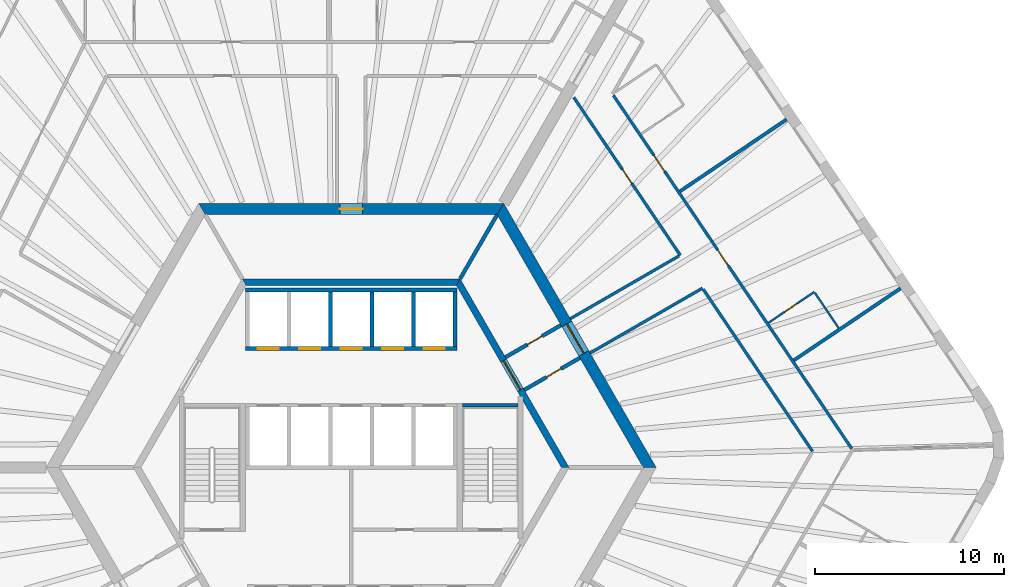
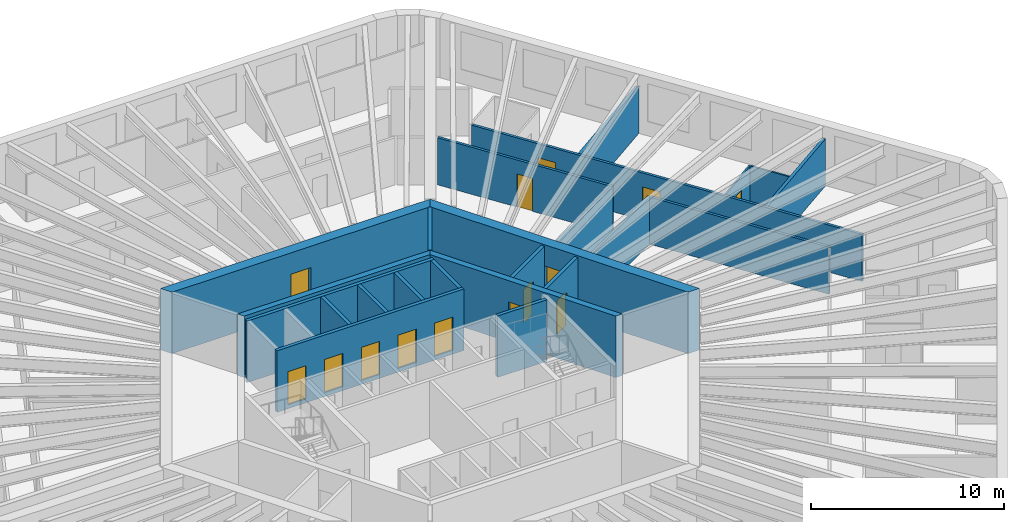
# One storey, part 9 of 12: 23 walls, 14 doors, 14 openings.
"""IFC4 building model written with IfcOpenShell, lengths in metres."""

from ifc_helpers import new_model, si_unit, direction, frame, frame_2d, origin, place, context, subcontext, project, spatial, polyline, rectangle, outline, extrude, material, layer, layer_set, type_object, element, fill, save


model = new_model("IFC4")

# Units and contexts
model_context = context("Model", 3, precision=1e-05, world=origin(), true_north=direction((0.0, 1.0)))
body_context = subcontext(model_context, "Body", "Model", "MODEL_VIEW")
ifc_project = project(units=[si_unit("LENGTHUNIT", "METRE"), si_unit("AREAUNIT", "SQUARE_METRE"), si_unit("VOLUMEUNIT", "CUBIC_METRE"), si_unit("PLANEANGLEUNIT", "RADIAN"), si_unit("MASSUNIT", "GRAM", prefix="KILO")], contexts=[model_context])

# Site, building, storey
site_placement = place(None, origin())
site = spatial("IfcSite", under=ifc_project, at=site_placement, CompositionType="ELEMENT")
building_placement = place(site_placement, origin())
building = spatial("IfcBuilding", under=site, at=building_placement, Name="Tarnside Tower", CompositionType="ELEMENT")
storey_placement = place(building_placement, frame((0.0, 0.0, 53.10009765625)))
storey = spatial("IfcBuildingStorey", under=building, at=storey_placement, Name="L10", CompositionType="ELEMENT", Elevation=53.10009765625)

# Wall, opening, door
ifc_material_1 = material(Name="Gypsum board partition on steel studs", Category="steel")
ifc_layer_1 = layer(ifc_material_1, 0.10009765625)
ifc_layer_set_1 = layer_set([ifc_layer_1], Name="Bathroom wall 100")
wall_type_1 = type_object("IfcWallType", Name="Bathroom wall 100", PredefinedType="PARTITIONING", material=ifc_layer_set_1)
wall_1_placement = place(storey_placement, frame((22.118408203125, 7.668212890625, 0.0), z_axis=(0.0, 0.0, 1.0), x_axis=(0.829007334469, 0.559237730663, 0.0)))
wall_1 = element("IfcWall", 1, at=wall_1_placement, inside=storey, type_object=wall_type_1, Name="Bathroom wall 02148", PredefinedType="PARTITIONING", context=body_context, shape_type="SweptSolid", body=[
    extrude(rectangle(XDim=2.925048828125, YDim=0.10009765625, at=frame_2d((1.46240234375, 0.0))), origin(), (0.0, 0.0, 1.0), 2.98779296875),
])
opening_1_placement = place(wall_1_placement, frame((1.02490234375, 0.0, 0.0)))
opening_1 = element("IfcOpeningElement", 2, at=opening_1_placement, cuts=wall_1, Name="Opening D-B1", PredefinedType="OPENING", context=body_context, shape_type="SweptSolid", body=[
    extrude(rectangle(XDim=0.800048828125, YDim=2.10009765625, at=frame_2d((0.39990234375, 1.050048828125))), frame((0.0, 0.06005859375, 0.0), z_axis=(0.0, -1.0, 0.0), x_axis=(1.0, 0.0, 0.0)), (0.0, 0.0, 1.0), 0.1201171875),
])
ifc_material_2 = material(Name="Timber door leaf", Category="wood")
door_type_1 = type_object("IfcDoorType", Name="Bathroom door 800", OperationType="NOTDEFINED", PredefinedType="DOOR", material=ifc_material_2)
door_1_placement = place(opening_1_placement, origin())
door_1 = element("IfcDoor", 3, at=door_1_placement, inside=storey, type_object=door_type_1, Name="Bathroom door 02038", OperationType="SINGLE_SWING_RIGHT", OverallHeight=2.10009765625, OverallWidth=0.800048828125, PredefinedType="DOOR", context=body_context, shape_type="SweptSolid", body=[
    extrude(rectangle(XDim=0.800048828125, YDim=2.10009765625, at=frame_2d((0.39990234375, 1.050048828125))), frame((0.0, 0.02490234375, 0.0), z_axis=(0.0, -1.0, 0.0), x_axis=(1.0, 0.0, 0.0)), (0.0, 0.0, 1.0), 0.050048828125),
])
fill(opening_1, door_1)

# Wall
wall_2_placement = place(storey_placement, frame((24.5712890625, 9.262451171875, 0.0), z_axis=(0.0, 0.0, 1.0), x_axis=(0.559179660023, -0.829046505219, 0.0)))
element("IfcWall", 4, at=wall_2_placement, inside=storey, type_object=wall_type_1, Name="Bathroom wall 02149", PredefinedType="PARTITIONING", context=body_context, shape_type="SweptSolid", body=[
    extrude(rectangle(XDim=2.259765625, YDim=0.10009765625, at=frame_2d((1.1298828125, 0.0))), origin(), (0.0, 0.0, 1.0), 2.98779296875),
])

# Wall, opening, door
ifc_material_3 = material(Name="Concrete C50/60", Category="concrete")
ifc_layer_2 = layer(ifc_material_3, 0.35009765625)
ifc_layer_set_2 = layer_set([ifc_layer_2], Name="Core block wall 350 C50/60")
wall_type_2 = type_object("IfcWallType", Name="Core block wall 350 C50/60", PredefinedType="SHEAR", material=ifc_layer_set_2)
wall_3_placement = place(storey_placement, frame((11.344970703125, 0.0, -0.150146484375), z_axis=(0.0, 0.0, 1.0), x_axis=(-0.499995046907, 0.866028263435, 0.0)))
wall_3 = element("IfcWall", 5, at=wall_3_placement, inside=storey, type_object=wall_type_2, Name="L10 core block wall face 6", PredefinedType="SHEAR", context=body_context, shape_type="SweptSolid", body=[
    extrude(outline(polyline([(-0.10107421875, -0.175048828125), (11.44580078125, -0.175048828125), (11.24365234375, 0.175048828125), (0.10107421875, 0.175048828125), (-0.10107421875, -0.175048828125)])), origin(), (0.0, 0.0, 1.0), 3.900146484375),
])
opening_2_placement = place(wall_3_placement, frame((4.74365234375, 0.0, 0.14990234375)))
opening_2 = element("IfcOpeningElement", 6, at=opening_2_placement, cuts=wall_3, Name="Opening CD-LOB", PredefinedType="OPENING", context=body_context, shape_type="SweptSolid", body=[
    extrude(rectangle(XDim=1.800048828125, YDim=2.39990234375, at=frame_2d((0.89990234375, 1.199951171875))), frame((0.0, 0.18505859375, 0.0), z_axis=(0.0, -1.0, 0.0), x_axis=(1.0, 0.0, 0.0)), (0.0, 0.0, 1.0), 0.3701171875),
])
ifc_material_4 = material(Name="Steel fire door", Category="steel")
door_type_2 = type_object("IfcDoorType", Name="Lobby double door FD30S 1800x2400", OperationType="NOTDEFINED", PredefinedType="DOOR", material=ifc_material_4)
door_2_placement = place(opening_2_placement, origin())
door_2 = element("IfcDoor", 7, at=door_2_placement, inside=storey, type_object=door_type_2, Name="L10 lobby block door P2", OperationType="DOUBLE_DOOR_SINGLE_SWING", OverallHeight=2.39990234375, OverallWidth=1.800048828125, PredefinedType="DOOR", context=body_context, shape_type="SweptSolid", body=[
    extrude(rectangle(XDim=1.800048828125, YDim=2.39990234375, at=frame_2d((0.89990234375, 1.199951171875))), frame((0.0, 0.02490234375, 0.0), z_axis=(0.0, -1.0, 0.0), x_axis=(1.0, 0.0, 0.0)), (0.0, 0.0, 1.0), 0.050048828125),
])
fill(opening_2, door_2)

# Wall
wall_4_placement = place(storey_placement, frame((5.672607421875, 9.824951171875, -0.150146484375), z_axis=(0.0, 0.0, 1.0), x_axis=(-1.0, 0.0, 0.0)))
element("IfcWall", 8, at=wall_4_placement, inside=storey, type_object=wall_type_2, Name="L10 core block wall face 1", PredefinedType="SHEAR", context=body_context, shape_type="SweptSolid", body=[
    extrude(outline(polyline([(-0.10107421875, -0.175048828125), (11.4462890625, -0.175048828125), (11.244140625, 0.175048828125), (0.10107421875, 0.175048828125), (-0.10107421875, -0.175048828125)])), origin(), (0.0, 0.0, 1.0), 3.900146484375),
])

# Wall, opening, door
ifc_material_5 = material(Name="Concrete C40/50", Category="concrete")
ifc_layer_3 = layer(ifc_material_5, 0.199951171875)
ifc_layer_set_3 = layer_set([ifc_layer_3], Name="Core room partition 200 C40/50")
wall_type_3 = type_object("IfcWallType", Name="Core room partition 200 C40/50", PredefinedType="PARTITIONING", material=ifc_layer_set_3)
wall_5_placement = place(storey_placement, frame((8.1748046875, 5.841064453125, 0.0), z_axis=(0.0, 0.0, 1.0), x_axis=(0.866020560687, 0.500008388397, 0.0)))
wall_5 = element("IfcWall", 9, at=wall_5_placement, inside=storey, type_object=wall_type_3, Name="L10 core partition AC5L", PredefinedType="PARTITIONING", context=body_context, shape_type="SweptSolid", body=[
    extrude(rectangle(XDim=3.39990234375, YDim=0.199951171875, at=frame_2d((1.699951171875, 0.0))), origin(), (0.0, 0.0, 1.0), 3.64990234375),
])
opening_3_placement = place(wall_5_placement, frame((1.349609375, 0.0, 0.0)))
opening_3 = element("IfcOpeningElement", 10, at=opening_3_placement, cuts=wall_5, Name="Opening CD-room", PredefinedType="OPENING", context=body_context, shape_type="SweptSolid", body=[
    extrude(rectangle(XDim=0.89990234375, YDim=2.10009765625, at=frame_2d((0.449951171875, 1.050048828125))), frame((0.0, 0.10986328125, 0.0), z_axis=(0.0, -1.0, 0.0), x_axis=(1.0, 0.0, 0.0)), (0.0, 0.0, 1.0), 0.219970703125),
])
door_type_3 = type_object("IfcDoorType", Name="Room door FD60 900x2100", OperationType="NOTDEFINED", PredefinedType="DOOR", material=ifc_material_4)
door_3_placement = place(opening_3_placement, origin())
door_3 = element("IfcDoor", 11, at=door_3_placement, inside=storey, type_object=door_type_3, Name="L10 core room door AX5L", OperationType="SINGLE_SWING_LEFT", OverallHeight=2.10009765625, OverallWidth=0.89990234375, PredefinedType="DOOR", context=body_context, shape_type="SweptSolid", body=[
    extrude(rectangle(XDim=0.89990234375, YDim=2.10009765625, at=frame_2d((0.449951171875, 1.050048828125))), frame((0.0, 0.02490234375, 0.0), z_axis=(0.0, -1.0, 0.0), x_axis=(1.0, 0.0, 0.0)), (0.0, 0.0, 1.0), 0.050048828125),
])
fill(opening_3, door_3)

wall_6_placement = place(storey_placement, frame((9.1748046875, 4.10888671875, 0.0), z_axis=(0.0, 0.0, 1.0), x_axis=(0.865989465428, 0.500062241894, 0.0)))
wall_6 = element("IfcWall", 12, at=wall_6_placement, inside=storey, type_object=wall_type_3, Name="L10 core partition AC5R", PredefinedType="PARTITIONING", context=body_context, shape_type="SweptSolid", body=[
    extrude(rectangle(XDim=3.39990234375, YDim=0.199951171875, at=frame_2d((1.699951171875, 0.0))), origin(), (0.0, 0.0, 1.0), 3.64990234375),
])
opening_4_placement = place(wall_6_placement, frame((1.3505859375, 0.0, 0.0)))
opening_4 = element("IfcOpeningElement", 13, at=opening_4_placement, cuts=wall_6, Name="Opening CD-room", PredefinedType="OPENING", context=body_context, shape_type="SweptSolid", body=[
    extrude(rectangle(XDim=0.89990234375, YDim=2.10009765625, at=frame_2d((0.449951171875, 1.050048828125))), frame((0.0, 0.10986328125, 0.0), z_axis=(0.0, -1.0, 0.0), x_axis=(1.0, 0.0, 0.0)), (0.0, 0.0, 1.0), 0.219970703125),
])
door_4_placement = place(opening_4_placement, origin())
door_4 = element("IfcDoor", 14, at=door_4_placement, inside=storey, type_object=door_type_3, Name="L10 core room door AX5R", OperationType="SINGLE_SWING_LEFT", OverallHeight=2.10009765625, OverallWidth=0.89990234375, PredefinedType="DOOR", context=body_context, shape_type="SweptSolid", body=[
    extrude(rectangle(XDim=0.89990234375, YDim=2.10009765625, at=frame_2d((0.449951171875, 1.050048828125))), frame((0.0, 0.02490234375, 0.0), z_axis=(0.0, -1.0, 0.0), x_axis=(1.0, 0.0, 0.0)), (0.0, 0.0, 1.0), 0.050048828125),
])
fill(opening_4, door_4)

ifc_material_6 = material(Name="Concrete C80/95", Category="concrete")
ifc_layer_4 = layer(ifc_material_6, 0.60009765625)
ifc_layer_set_4 = layer_set([ifc_layer_4], Name="Core wall Z1 600 C80/95")
wall_type_4 = type_object("IfcWallType", Name="Core wall Z1 600 C80/95", PredefinedType="SHEAR", material=ifc_layer_set_4)
wall_7_placement = place(storey_placement, frame((15.8193359375, 0.0, -0.150146484375), z_axis=(0.0, 0.0, 1.0), x_axis=(-0.499999880136, 0.866025472988, 0.0)))
wall_7 = element("IfcWall", 15, at=wall_7_placement, inside=storey, type_object=wall_type_4, Name="L10 core wall face 6", PredefinedType="SHEAR", context=body_context, shape_type="SweptSolid", body=[
    extrude(outline(polyline([(-0.17333984375, -0.300048828125), (15.99267578125, -0.300048828125), (15.64599609375, 0.300048828125), (0.17333984375, 0.300048828125), (-0.17333984375, -0.300048828125)])), origin(), (0.0, 0.0, 1.0), 3.900146484375),
])
opening_5_placement = place(wall_7_placement, frame((6.980712890625, 0.0, 0.14990234375)))
opening_5 = element("IfcOpeningElement", 16, at=opening_5_placement, cuts=wall_7, Name="Opening CD-LOB", PredefinedType="OPENING", context=body_context, shape_type="SweptSolid", body=[
    extrude(rectangle(XDim=1.800048828125, YDim=2.39990234375, at=frame_2d((0.89990234375, 1.199951171875))), frame((0.0, 0.31005859375, 0.0), z_axis=(0.0, -1.0, 0.0), x_axis=(1.0, 0.0, 0.0)), (0.0, 0.0, 1.0), 0.6201171875),
])
door_5_placement = place(opening_5_placement, origin())
door_5 = element("IfcDoor", 17, at=door_5_placement, inside=storey, type_object=door_type_2, Name="L10 core door P2", OperationType="DOUBLE_DOOR_SINGLE_SWING", OverallHeight=2.39990234375, OverallWidth=1.800048828125, PredefinedType="DOOR", context=body_context, shape_type="SweptSolid", body=[
    extrude(rectangle(XDim=1.800048828125, YDim=2.39990234375, at=frame_2d((0.89990234375, 1.199951171875))), frame((0.0, 0.02490234375, 0.0), z_axis=(0.0, -1.0, 0.0), x_axis=(1.0, 0.0, 0.0)), (0.0, 0.0, 1.0), 0.050048828125),
])
fill(opening_5, door_5)

wall_8_placement = place(storey_placement, frame((7.90966796875, 13.699951171875, -0.150146484375), z_axis=(0.0, 0.0, 1.0), x_axis=(-1.0, 0.0, 0.0)))
wall_8 = element("IfcWall", 18, at=wall_8_placement, inside=storey, type_object=wall_type_4, Name="L10 core wall face 1", PredefinedType="SHEAR", context=body_context, shape_type="SweptSolid", body=[
    extrude(outline(polyline([(-0.17333984375, -0.300048828125), (15.99267578125, -0.300048828125), (15.64599609375, 0.300048828125), (0.17333984375, 0.300048828125), (-0.17333984375, -0.300048828125)])), origin(), (0.0, 0.0, 1.0), 3.900146484375),
])
opening_6_placement = place(wall_8_placement, frame((7.309814453125, 0.0, 0.14990234375)))
opening_6 = element("IfcOpeningElement", 19, at=opening_6_placement, cuts=wall_8, Name="Opening CD-RSR", PredefinedType="OPENING", context=body_context, shape_type="SweptSolid", body=[
    extrude(rectangle(XDim=1.199951171875, YDim=2.39990234375, at=frame_2d((0.60009765625, 1.199951171875))), frame((0.0, 0.31005859375, 0.0), z_axis=(0.0, -1.0, 0.0), x_axis=(1.0, 0.0, 0.0)), (0.0, 0.0, 1.0), 0.6201171875),
])
door_type_4 = type_object("IfcDoorType", Name="Riser door FD60 1200x2400", OperationType="NOTDEFINED", PredefinedType="DOOR", material=ifc_material_4)
door_6_placement = place(opening_6_placement, origin())
door_6 = element("IfcDoor", 20, at=door_6_placement, inside=storey, type_object=door_type_4, Name="L10 core door S5", OperationType="SINGLE_SWING_LEFT", OverallHeight=2.39990234375, OverallWidth=1.199951171875, PredefinedType="DOOR", context=body_context, shape_type="SweptSolid", body=[
    extrude(rectangle(XDim=1.199951171875, YDim=2.39990234375, at=frame_2d((0.60009765625, 1.199951171875))), frame((0.0, 0.02490234375, 0.0), z_axis=(0.0, -1.0, 0.0), x_axis=(1.0, 0.0, 0.0)), (0.0, 0.0, 1.0), 0.050048828125),
])
fill(opening_6, door_6)

# Wall, openings, doors
ifc_layer_5 = layer(ifc_material_1, 0.14990234375)
ifc_layer_set_5 = layer_set([ifc_layer_5], Name="Corridor wall 150 EI 60")
wall_type_5 = type_object("IfcWallType", Name="Corridor wall 150 EI 60", PredefinedType="PARTITIONING", material=ifc_layer_set_5)
wall_9_placement = place(storey_placement, frame((26.527587890625, 0.9970703125, 0.0), z_axis=(0.0, 0.0, 1.0), x_axis=(-0.559192121846, 0.829038099767, 0.0)))
wall_9 = element("IfcWall", 21, at=wall_9_placement, inside=storey, type_object=wall_type_5, Name="Corridor wall 02056", PredefinedType="PARTITIONING", context=body_context, shape_type="SweptSolid", body=[
    extrude(rectangle(XDim=22.5859375, YDim=0.14990234375, at=frame_2d((11.29296875, 0.0))), origin(), (0.0, 0.0, 1.0), 2.98779296875),
])
opening_7_placement = place(wall_9_placement, frame((11.6962890625, 0.0, 0.0)))
opening_7 = element("IfcOpeningElement", 22, at=opening_7_placement, cuts=wall_9, Name="Opening D-E1", PredefinedType="OPENING", context=body_context, shape_type="SweptSolid", body=[
    extrude(rectangle(XDim=1.0, YDim=2.10009765625, at=frame_2d((0.5, 1.050048828125))), frame((0.0, 0.0849609375, 0.0), z_axis=(0.0, -1.0, 0.0), x_axis=(1.0, 0.0, 0.0)), (0.0, 0.0, 1.0), 0.169921875),
])
opening_8_placement = place(wall_9_placement, frame((17.732666015625, 0.0, 0.0)))
opening_8 = element("IfcOpeningElement", 23, at=opening_8_placement, cuts=wall_9, Name="Opening D-E1", PredefinedType="OPENING", context=body_context, shape_type="SweptSolid", body=[
    extrude(rectangle(XDim=1.0, YDim=2.10009765625, at=frame_2d((0.5, 1.050048828125))), frame((0.0, 0.0849609375, 0.0), z_axis=(0.0, -1.0, 0.0), x_axis=(1.0, 0.0, 0.0)), (0.0, 0.0, 1.0), 0.169921875),
])
door_type_5 = type_object("IfcDoorType", Name="Unit entrance door 1000 FD30S", OperationType="NOTDEFINED", PredefinedType="DOOR", material=ifc_material_2)
door_7_placement = place(opening_7_placement, origin())
door_7 = element("IfcDoor", 24, at=door_7_placement, inside=storey, type_object=door_type_5, Name="Unit door 02037", OperationType="SINGLE_SWING_RIGHT", OverallHeight=2.10009765625, OverallWidth=1.0, PredefinedType="DOOR", context=body_context, shape_type="SweptSolid", body=[
    extrude(rectangle(XDim=1.0, YDim=2.10009765625, at=frame_2d((0.5, 1.050048828125))), frame((0.0, 0.02490234375, 0.0), z_axis=(0.0, -1.0, 0.0), x_axis=(1.0, 0.0, 0.0)), (0.0, 0.0, 1.0), 0.050048828125),
])
fill(opening_7, door_7)
door_8_placement = place(opening_8_placement, origin())
door_8 = element("IfcDoor", 25, at=door_8_placement, inside=storey, type_object=door_type_5, Name="Unit door 02039", OperationType="SINGLE_SWING_LEFT", OverallHeight=2.10009765625, OverallWidth=1.0, PredefinedType="DOOR", context=body_context, shape_type="SweptSolid", body=[
    extrude(rectangle(XDim=1.0, YDim=2.10009765625, at=frame_2d((0.5, 1.050048828125))), frame((0.0, 0.02490234375, 0.0), z_axis=(0.0, -1.0, 0.0), x_axis=(1.0, 0.0, 0.0)), (0.0, 0.0, 1.0), 0.050048828125),
])
fill(opening_8, door_8)

# Walls
wall_10_placement = place(storey_placement, frame((12.663818359375, 6.065673828125, 0.0), z_axis=(0.0, 0.0, 1.0), x_axis=(0.866027716353, 0.499995994493, 0.0)))
element("IfcWall", 26, at=wall_10_placement, inside=storey, type_object=wall_type_5, Name="Corridor wall 02063", PredefinedType="PARTITIONING", context=body_context, shape_type="SweptSolid", body=[
    extrude(rectangle(XDim=6.8759765625, YDim=0.14990234375, at=frame_2d((3.43798828125, 0.0))), origin(), (0.0, 0.0, 1.0), 2.98779296875),
])
wall_11_placement = place(storey_placement, frame((18.66064453125, 9.44140625, 0.0), z_axis=(0.0, 0.0, 1.0), x_axis=(0.559206469148, -0.829028422229, 0.0)))
element("IfcWall", 27, at=wall_11_placement, inside=storey, type_object=wall_type_5, Name="Corridor wall 02064", PredefinedType="PARTITIONING", context=body_context, shape_type="SweptSolid", body=[
    extrude(rectangle(XDim=10.3583984375, YDim=0.14990234375, at=frame_2d((5.17919921875, 0.0))), origin(), (0.0, 0.0, 1.0), 2.98779296875),
])

# Wall, opening, door
wall_12_placement = place(storey_placement, frame((11.79833984375, 19.615234375, 0.0), z_axis=(0.0, 0.0, 1.0), x_axis=(0.559191941468, -0.829038221434, 0.0)))
wall_12 = element("IfcWall", 28, at=wall_12_placement, inside=storey, type_object=wall_type_5, Name="Corridor wall 02070", PredefinedType="PARTITIONING", context=body_context, shape_type="SweptSolid", body=[
    extrude(rectangle(XDim=10.091552734375, YDim=0.14990234375, at=frame_2d((5.0458984375, 0.0))), origin(), (0.0, 0.0, 1.0), 2.98779296875),
])
opening_9_placement = place(wall_12_placement, frame((4.595703125, 0.0, 0.0)))
opening_9 = element("IfcOpeningElement", 29, at=opening_9_placement, cuts=wall_12, Name="Opening D-S1", PredefinedType="OPENING", context=body_context, shape_type="SweptSolid", body=[
    extrude(rectangle(XDim=0.89990234375, YDim=2.10009765625, at=frame_2d((0.449951171875, 1.050048828125))), frame((0.0, 0.0849609375, 0.0), z_axis=(0.0, -1.0, 0.0), x_axis=(1.0, 0.0, 0.0)), (0.0, 0.0, 1.0), 0.169921875),
])
door_type_6 = type_object("IfcDoorType", Name="Service room door 900 FD30S", OperationType="NOTDEFINED", PredefinedType="DOOR", material=ifc_material_2)
door_9_placement = place(opening_9_placement, origin())
door_9 = element("IfcDoor", 30, at=door_9_placement, inside=storey, type_object=door_type_6, Name="Service door 02049", OperationType="SINGLE_SWING_LEFT", OverallHeight=2.10009765625, OverallWidth=0.89990234375, PredefinedType="DOOR", context=body_context, shape_type="SweptSolid", body=[
    extrude(rectangle(XDim=0.89990234375, YDim=2.10009765625, at=frame_2d((0.449951171875, 1.050048828125))), frame((0.0, 0.02490234375, 0.0), z_axis=(0.0, -1.0, 0.0), x_axis=(1.0, 0.0, 0.0)), (0.0, 0.0, 1.0), 0.050048828125),
])
fill(opening_9, door_9)

# Walls
wall_13_placement = place(storey_placement, frame((17.37646484375, 11.21142578125, 0.0), z_axis=(0.0, 0.0, 1.0), x_axis=(-0.866021841149, -0.500006170614, 0.0)))
element("IfcWall", 31, at=wall_13_placement, inside=storey, type_object=wall_type_5, Name="Corridor wall 02071", PredefinedType="PARTITIONING", context=body_context, shape_type="SweptSolid", body=[
    extrude(rectangle(XDim=6.654296875, YDim=0.14990234375, at=frame_2d((3.3271484375, 0.0))), origin(), (0.0, 0.0, 1.0), 2.98779296875),
])
ifc_layer_6 = layer(ifc_material_1, 0.179931640625)
ifc_layer_set_6 = layer_set([ifc_layer_6], Name="Demising wall 180 EI 60")
wall_type_6 = type_object("IfcWallType", Name="Demising wall 180 EI 60", PredefinedType="PARTITIONING", material=ifc_layer_set_6)
for number, where, z_axis, x_axis, name in (
    (32, (29.11865234375, 9.4951171875, 0.0), (0.0, 0.0, 1.0), (-0.829044361536, -0.559182838261, 0.0), "Demising wall 02146"),
    (33, (23.079345703125, 18.44873046875, 0.0), (0.0, 0.0, 1.0), (-0.829044361536, -0.559182838261, 0.0), "Demising wall 02150"),
):
    element("IfcWall", number, at=place(storey_placement, frame(where, z_axis=z_axis, x_axis=x_axis)), inside=storey, type_object=wall_type_6, Name=name, PredefinedType="PARTITIONING", context=body_context, shape_type="SweptSolid", body=[
        extrude(rectangle(XDim=6.824951171875, YDim=0.179931640625, at=frame_2d((3.41259765625, 0.0))), origin(), (0.0, 0.0, 1.0), 2.98779296875),
    ])

# Wall, openings, doors
ifc_layer_7 = layer(ifc_material_5, 0.199951171875)
ifc_layer_set_7 = layer_set([ifc_layer_7], Name="Lift shaft wall 200 C40/50")
wall_type_7 = type_object("IfcWallType", Name="Lift shaft wall 200 C40/50", PredefinedType="SHEAR", material=ifc_layer_set_7)
wall_14_placement = place(storey_placement, frame((-5.60009765625, 6.300048828125, -0.25), z_axis=(0.0, 0.0, 1.0), x_axis=(1.0, 0.0, 0.0)))
wall_14 = element("IfcWall", 34, at=wall_14_placement, inside=storey, type_object=wall_type_7, Name="L10 lift shaft front wall R1", PredefinedType="SHEAR", context=body_context, shape_type="SweptSolid", body=[
    extrude(rectangle(XDim=11.2001953125, YDim=0.199951171875, at=frame_2d((5.60009765625, 0.0))), origin(), (0.0, 0.0, 1.0), 3.89990234375),
])
opening_10_placement = place(wall_14_placement, frame((0.64990234375, 0.0, 0.25)))
opening_10 = element("IfcOpeningElement", 35, at=opening_10_placement, cuts=wall_14, Name="Opening LD", PredefinedType="OPENING", context=body_context, shape_type="SweptSolid", body=[
    extrude(rectangle(XDim=1.10009765625, YDim=2.10009765625, at=frame_2d((0.550048828125, 1.050048828125))), frame((0.0, 0.10986328125, 0.0), z_axis=(0.0, -1.0, 0.0), x_axis=(1.0, 0.0, 0.0)), (0.0, 0.0, 1.0), 0.219970703125),
])
opening_11_placement = place(wall_14_placement, frame((2.85009765625, 0.0, 0.25)))
opening_11 = element("IfcOpeningElement", 36, at=opening_11_placement, cuts=wall_14, Name="Opening LD", PredefinedType="OPENING", context=body_context, shape_type="SweptSolid", body=[
    extrude(rectangle(XDim=1.10009765625, YDim=2.10009765625, at=frame_2d((0.550048828125, 1.050048828125))), frame((0.0, 0.10986328125, 0.0), z_axis=(0.0, -1.0, 0.0), x_axis=(1.0, 0.0, 0.0)), (0.0, 0.0, 1.0), 0.219970703125),
])
opening_12_placement = place(wall_14_placement, frame((5.050048828125, 0.0, 0.25)))
opening_12 = element("IfcOpeningElement", 37, at=opening_12_placement, cuts=wall_14, Name="Opening LD", PredefinedType="OPENING", context=body_context, shape_type="SweptSolid", body=[
    extrude(rectangle(XDim=1.10009765625, YDim=2.10009765625, at=frame_2d((0.550048828125, 1.050048828125))), frame((0.0, 0.10986328125, 0.0), z_axis=(0.0, -1.0, 0.0), x_axis=(1.0, 0.0, 0.0)), (0.0, 0.0, 1.0), 0.219970703125),
])
opening_13_placement = place(wall_14_placement, frame((7.25, 0.0, 0.25)))
opening_13 = element("IfcOpeningElement", 38, at=opening_13_placement, cuts=wall_14, Name="Opening LD", PredefinedType="OPENING", context=body_context, shape_type="SweptSolid", body=[
    extrude(rectangle(XDim=1.10009765625, YDim=2.10009765625, at=frame_2d((0.550048828125, 1.050048828125))), frame((0.0, 0.10986328125, 0.0), z_axis=(0.0, -1.0, 0.0), x_axis=(1.0, 0.0, 0.0)), (0.0, 0.0, 1.0), 0.219970703125),
])
opening_14_placement = place(wall_14_placement, frame((9.449951171875, 0.0, 0.25)))
opening_14 = element("IfcOpeningElement", 39, at=opening_14_placement, cuts=wall_14, Name="Opening LD", PredefinedType="OPENING", context=body_context, shape_type="SweptSolid", body=[
    extrude(rectangle(XDim=1.10009765625, YDim=2.10009765625, at=frame_2d((0.550048828125, 1.050048828125))), frame((0.0, 0.10986328125, 0.0), z_axis=(0.0, -1.0, 0.0), x_axis=(1.0, 0.0, 0.0)), (0.0, 0.0, 1.0), 0.219970703125),
])
ifc_material_7 = material(Name="Stainless steel", Category="steel")
door_type_7 = type_object("IfcDoorType", Name="Lift landing door 1100x2100", OperationType="NOTDEFINED", PredefinedType="DOOR", material=ifc_material_7)
door_10_placement = place(opening_10_placement, origin())
door_10 = element("IfcDoor", 40, at=door_10_placement, inside=storey, type_object=door_type_7, Name="Low-rise lift 1 landing door L10", OperationType="SLIDING_TO_LEFT", OverallHeight=2.10009765625, OverallWidth=1.10009765625, PredefinedType="DOOR", context=body_context, shape_type="SweptSolid", body=[
    extrude(rectangle(XDim=1.10009765625, YDim=2.10009765625, at=frame_2d((0.550048828125, 1.050048828125))), frame((0.0, 0.02490234375, 0.0), z_axis=(0.0, -1.0, 0.0), x_axis=(1.0, 0.0, 0.0)), (0.0, 0.0, 1.0), 0.050048828125),
])
fill(opening_10, door_10)
door_11_placement = place(opening_11_placement, origin())
door_11 = element("IfcDoor", 41, at=door_11_placement, inside=storey, type_object=door_type_7, Name="Low-rise lift 2 landing door L10", OperationType="SLIDING_TO_LEFT", OverallHeight=2.10009765625, OverallWidth=1.10009765625, PredefinedType="DOOR", context=body_context, shape_type="SweptSolid", body=[
    extrude(rectangle(XDim=1.10009765625, YDim=2.10009765625, at=frame_2d((0.550048828125, 1.050048828125))), frame((0.0, 0.02490234375, 0.0), z_axis=(0.0, -1.0, 0.0), x_axis=(1.0, 0.0, 0.0)), (0.0, 0.0, 1.0), 0.050048828125),
])
fill(opening_11, door_11)
door_12_placement = place(opening_12_placement, origin())
door_12 = element("IfcDoor", 42, at=door_12_placement, inside=storey, type_object=door_type_7, Name="Low-rise lift 3 landing door L10", OperationType="SLIDING_TO_LEFT", OverallHeight=2.10009765625, OverallWidth=1.10009765625, PredefinedType="DOOR", context=body_context, shape_type="SweptSolid", body=[
    extrude(rectangle(XDim=1.10009765625, YDim=2.10009765625, at=frame_2d((0.550048828125, 1.050048828125))), frame((0.0, 0.02490234375, 0.0), z_axis=(0.0, -1.0, 0.0), x_axis=(1.0, 0.0, 0.0)), (0.0, 0.0, 1.0), 0.050048828125),
])
fill(opening_12, door_12)
door_13_placement = place(opening_13_placement, origin())
door_13 = element("IfcDoor", 43, at=door_13_placement, inside=storey, type_object=door_type_7, Name="Low sky-lobby shuttle 1 landing door L10", OperationType="SLIDING_TO_LEFT", OverallHeight=2.10009765625, OverallWidth=1.10009765625, PredefinedType="DOOR", context=body_context, shape_type="SweptSolid", body=[
    extrude(rectangle(XDim=1.10009765625, YDim=2.10009765625, at=frame_2d((0.550048828125, 1.050048828125))), frame((0.0, 0.02490234375, 0.0), z_axis=(0.0, -1.0, 0.0), x_axis=(1.0, 0.0, 0.0)), (0.0, 0.0, 1.0), 0.050048828125),
])
fill(opening_13, door_13)
door_14_placement = place(opening_14_placement, origin())
door_14 = element("IfcDoor", 44, at=door_14_placement, inside=storey, type_object=door_type_7, Name="Low sky-lobby shuttle 2 landing door L10", OperationType="SLIDING_TO_LEFT", OverallHeight=2.10009765625, OverallWidth=1.10009765625, PredefinedType="DOOR", context=body_context, shape_type="SweptSolid", body=[
    extrude(rectangle(XDim=1.10009765625, YDim=2.10009765625, at=frame_2d((0.550048828125, 1.050048828125))), frame((0.0, 0.02490234375, 0.0), z_axis=(0.0, -1.0, 0.0), x_axis=(1.0, 0.0, 0.0)), (0.0, 0.0, 1.0), 0.050048828125),
])
fill(opening_14, door_14)

# Walls
wall_15_placement = place(storey_placement, frame((-5.60009765625, 9.39990234375, -0.25), z_axis=(0.0, 0.0, 1.0), x_axis=(1.0, 0.0, 0.0)))
element("IfcWall", 45, at=wall_15_placement, inside=storey, type_object=wall_type_7, Name="L10 lift shaft back wall R1", PredefinedType="SHEAR", context=body_context, shape_type="SweptSolid", body=[
    extrude(rectangle(XDim=11.2001953125, YDim=0.199951171875, at=frame_2d((5.60009765625, 0.0))), origin(), (0.0, 0.0, 1.0), 3.89990234375),
])
for number, where, z_axis, x_axis, name in (
    (46, (-1.10009765625, 6.39990234375, -0.25), (0.0, 0.0, 1.0), (0.0, 1.0, 0.0), "L10 lift shaft partition R13"),
    (47, (1.10009765625, 6.39990234375, -0.25), (0.0, 0.0, 1.0), (0.0, 1.0, 0.0), "L10 lift shaft partition R14"),
    (48, (3.300048828125, 6.39990234375, -0.25), (0.0, 0.0, 1.0), (0.0, 1.0, 0.0), "L10 lift shaft partition R15"),
    (49, (5.5, 6.39990234375, -0.25), (0.0, 0.0, 1.0), (0.0, 1.0, 0.0), "L10 lift shaft partition R16"),
):
    element("IfcWall", number, at=place(storey_placement, frame(where, z_axis=z_axis, x_axis=x_axis)), inside=storey, type_object=wall_type_7, Name=name, PredefinedType="SHEAR", context=body_context, shape_type="SweptSolid", body=[
        extrude(rectangle(XDim=2.900146484375, YDim=0.199951171875, at=frame_2d((1.4501953125, 0.0))), origin(), (0.0, 0.0, 1.0), 3.89990234375),
    ])
wall_16_placement = place(storey_placement, frame((5.7734375, 10.0, -0.150146484375), z_axis=(0.0, 0.0, 1.0), x_axis=(0.500038251005, 0.86600331843, 0.0)))
element("IfcWall", 50, at=wall_16_placement, inside=storey, type_object=wall_type_7, Name="L10 core partition AR60", PredefinedType="SHEAR", context=body_context, shape_type="SweptSolid", body=[
    extrude(rectangle(XDim=3.926025390625, YDim=0.199951171875, at=frame_2d((1.962890625, 0.0))), origin(), (0.0, 0.0, 1.0), 3.900146484375),
])
wall_17_placement = place(storey_placement, frame((5.89990234375, 3.300048828125, -0.25), z_axis=(0.0, 0.0, 1.0), x_axis=(1.0, 0.0, 0.0)))
element("IfcWall", 51, at=wall_17_placement, inside=storey, type_object=wall_type_7, Name="L10 stair 1 enclosure cap wall n", PredefinedType="SHEAR", context=body_context, shape_type="SweptSolid", body=[
    extrude(rectangle(XDim=2.9501953125, YDim=0.199951171875, at=frame_2d((1.47509765625, 0.0))), origin(), (0.0, 0.0, 1.0), 3.89990234375),
])

save(model, "model.ifc")
